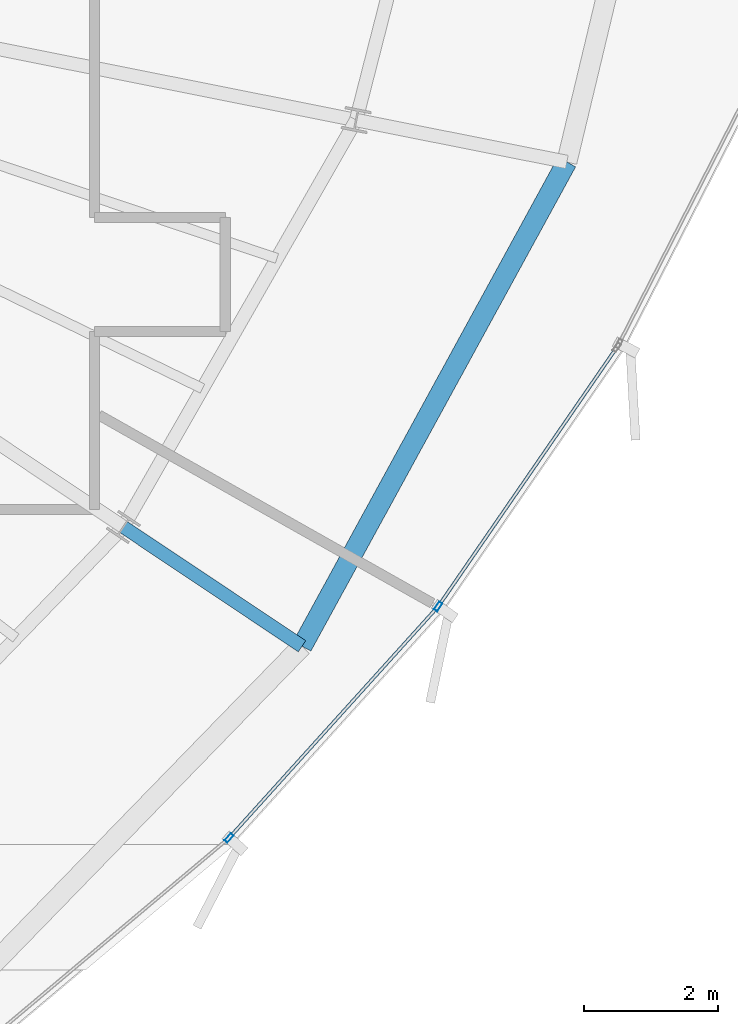
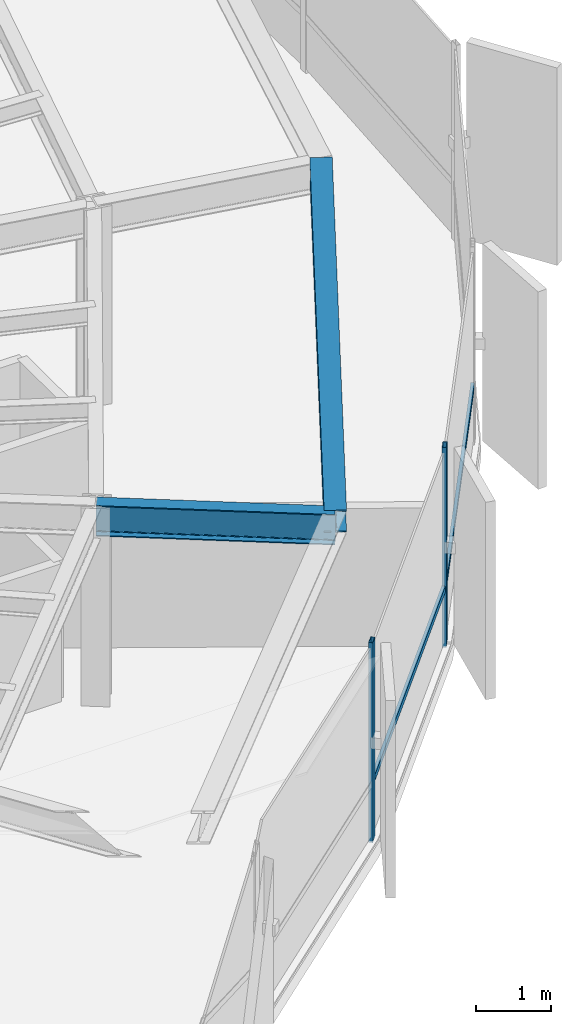
# One storey, part 15 of 35: 4 members, 2 beams, 1 element without a shape of its own.
"""IFC4 building model written with IfcOpenShell, lengths in metres."""

from ifc_helpers import new_model, si_unit, direction, frame, origin, origin_2d, place, context, subcontext, project, spatial, hollow_rectangle, i_section, extrude, source, transform, mapped, material, layer, layer_set, material_profile, profile_set, type_object, element, aggregate, save


model = new_model("IFC4")

# Units and contexts
model_context = context("Model", 3, precision=1e-05, world=origin(), true_north=direction((0.0, 1.0)))
body_context = subcontext(model_context, "Body", "Model", "MODEL_VIEW")
ifc_project = project(units=[si_unit("LENGTHUNIT", "METRE"), si_unit("AREAUNIT", "SQUARE_METRE"), si_unit("VOLUMEUNIT", "CUBIC_METRE"), si_unit("PLANEANGLEUNIT", "RADIAN"), si_unit("MASSUNIT", "GRAM", prefix="KILO"), si_unit("THERMODYNAMICTEMPERATUREUNIT", "KELVIN")], contexts=[model_context])

# Site, building, storey
site_placement = place(None, origin())
site = spatial("IfcSite", under=ifc_project, at=site_placement, CompositionType="ELEMENT")
building_placement = place(site_placement, origin())
building = spatial("IfcBuilding", under=site, at=building_placement, Name="Kethvar Cultural Tower", CompositionType="ELEMENT")
storey_placement = place(building_placement, frame((0.0, 0.0, 179.89990234375)))
storey = spatial("IfcBuildingStorey", under=building, at=storey_placement, Name="L46", CompositionType="ELEMENT", Elevation=179.89990234375)

# Beams
ifc_material_1 = material(Name="Steel S355J2", Category="steel")
ifc_material_profile_1 = material_profile(ifc_material_1, i_section(OverallWidth=0.199951171875, OverallDepth=0.5, WebThickness=0.01025390625, FlangeThickness=0.01611328125, FilletRadius=0.02099609375, at=origin_2d()), Name="Steel S355J2 — IPE500")
ifc_profile_set_1 = profile_set([ifc_material_profile_1], Name="Steel S355J2 — IPE500")
beam_type_1 = type_object("IfcBeamType", Name="BM-IPE500", PredefinedType="BEAM", material=ifc_profile_set_1)
shared_shape_1 = source(origin(), body_context, "Body", "SweptSolid", [
    extrude(i_section(OverallWidth=0.199951171875, OverallDepth=0.5, WebThickness=0.01025390625, FlangeThickness=0.01611328125, FilletRadius=0.02099609375, at=origin_2d()), origin(), (0.0, 0.0, 1.0), 3.199951171875),
])
beam_1_placement = place(storey_placement, frame((61.1826171875, 18.18994140625, 3.008056640625), z_axis=(0.831462943996, -0.555580212716, 0.0), x_axis=(0.555580212716, 0.831462943996, 0.0)))
element("IfcBeam", 1, at=beam_1_placement, inside=storey, type_object=beam_type_1, Name="L46 Perimeter Cantilever Beam RC-15", PredefinedType="BEAM", context=body_context, shape_type="MappedRepresentation", body=[
    mapped(shared_shape_1, transform((0.0, 0.0, 0.0), scale=1.0)),
])
ifc_material_profile_2 = material_profile(ifc_material_1, i_section(OverallWidth=0.300048828125, OverallDepth=0.360107421875, WebThickness=0.012451171875, FlangeThickness=0.0224609375, FilletRadius=0.027099609375, at=origin_2d()), Name="Steel S355J2 — HEB360")
ifc_profile_set_2 = profile_set([ifc_material_profile_2], Name="Steel S355J2 — HEB360")
beam_type_2 = type_object("IfcBeamType", Name="BM-SP360", PredefinedType="SPANDREL", material=ifc_profile_set_2)
shared_shape_2 = source(origin(), body_context, "Body", "SweptSolid", [
    extrude(i_section(OverallWidth=0.300048828125, OverallDepth=0.360107421875, WebThickness=0.012451171875, FlangeThickness=0.0224609375, FilletRadius=0.027099609375, at=origin_2d()), origin(), (0.0, 0.0, 1.0), 8.22119140625),
])
beam_2_placement = place(storey_placement, frame((63.84326171875, 16.412109375, 3.078125), z_axis=(0.479721613821, 0.8774207504, 0.0), x_axis=(-0.8774207504, 0.479721613821, 0.0)))
element("IfcBeam", 2, at=beam_2_placement, inside=storey, type_object=beam_type_2, Name="L46 Perimeter Spandrel Beam SP-15", PredefinedType="SPANDREL", context=body_context, shape_type="MappedRepresentation", body=[
    mapped(shared_shape_2, transform((0.0, 0.0, 0.0), scale=1.0)),
])

# Curtain wall, members
ifc_material_2 = material(Name="Aluminium 6063-T6", Category="aluminium")
ifc_layer = layer(ifc_material_2, 0.179931640625, Name="Aluminium 6063-T6", Category="aluminium")
ifc_layer_set = layer_set([ifc_layer], Name="Aluminium 6063-T6 (180 mm)")
curtain_wall_type = type_object("IfcCurtainWallType", Name="CW-SYS-04-Z34", PredefinedType="NOTDEFINED", material=ifc_layer_set)
curtain_wall_placement = place(storey_placement, origin())
curtain_wall = element("IfcCurtainWall", 3, at=curtain_wall_placement, inside=storey, type_object=curtain_wall_type, Name="L46 Curtain Wall Run 05", PredefinedType="NOTDEFINED")
ifc_material_profile_3 = material_profile(ifc_material_2, hollow_rectangle(XDim=0.06005859375, YDim=0.139892578125, WallThickness=0.0048828125, at=origin_2d()), Name="Aluminium 6063-T6 — RHS140x60x5")
ifc_profile_set_3 = profile_set([ifc_material_profile_3], Name="Aluminium 6063-T6 — RHS140x60x5")
member_type_1 = type_object("IfcMemberType", Name="CW-SYS-04-Z34-MUL", PredefinedType="MULLION", material=ifc_profile_set_3)
shared_shape_3 = source(origin(), body_context, "Body", "SweptSolid", [
    extrude(hollow_rectangle(XDim=0.06005859375, YDim=0.139892578125, WallThickness=0.0048828125, at=origin_2d()), origin(), (0.0, 0.0, 1.0), 3.260009765625),
])
member_1_placement = place(storey_placement, frame((62.756103515625, 13.556396484375, 0.0), z_axis=(0.0, 0.0, 1.0), x_axis=(-0.742174727895, 0.670206440788, 0.0)))
member_1 = element("IfcMember", 4, at=member_1_placement, type_object=member_type_1, Name="CW-L46-R05 Mullion 5", PredefinedType="MULLION", context=body_context, shape_type="MappedRepresentation", body=[
    mapped(shared_shape_3, transform((0.0, 0.0, 0.0), scale=1.0)),
])
member_2_placement = place(storey_placement, frame((65.870849609375, 17.004150390625, 0.0), z_axis=(0.0, 0.0, 1.0), x_axis=(-0.823334533242, 0.567556381667, 0.0)))
member_2 = element("IfcMember", 5, at=member_2_placement, type_object=member_type_1, Name="CW-L46-R05 Mullion 6", PredefinedType="MULLION", context=body_context, shape_type="MappedRepresentation", body=[
    mapped(shared_shape_3, transform((0.0, 0.0, 0.0), scale=1.0)),
])
ifc_material_profile_4 = material_profile(ifc_material_2, hollow_rectangle(XDim=0.050048828125, YDim=0.10009765625, WallThickness=0.00390625, at=origin_2d()), Name="Aluminium 6063-T6 — RHS100x50x4")
ifc_profile_set_4 = profile_set([ifc_material_profile_4], Name="Aluminium 6063-T6 — RHS100x50x4")
member_type_2 = type_object("IfcMemberType", Name="CW-SYS-04-Z34-TRN", PredefinedType="USERDEFINED", material=ifc_profile_set_4)
shared_shape_4 = source(origin(), body_context, "Body", "SweptSolid", [
    extrude(hollow_rectangle(XDim=0.050048828125, YDim=0.10009765625, WallThickness=0.00390625, at=origin_2d()), origin(), (0.0, 0.0, 1.0), 4.574462890625),
])
member_3_placement = place(storey_placement, frame((62.784912109375, 13.58837890625, 0.9501953125), z_axis=(0.670219886921, 0.742162585405, 0.0), x_axis=(-0.742162585405, 0.670219886921, 0.0)))
member_3 = element("IfcMember", 6, at=member_3_placement, type_object=member_type_2, Name="CW-L46-R05 Transom 5", ObjectType="TRANSOM", PredefinedType="USERDEFINED", context=body_context, shape_type="MappedRepresentation", body=[
    mapped(shared_shape_4, transform((0.0, 0.0, 0.0), scale=1.0)),
])
shared_shape_5 = source(origin(), body_context, "Body", "SweptSolid", [
    extrude(hollow_rectangle(XDim=0.050048828125, YDim=0.10009765625, WallThickness=0.00390625, at=origin_2d()), origin(), (0.0, 0.0, 1.0), 4.640625),
])
member_4_placement = place(storey_placement, frame((65.8955078125, 17.039794921875, 0.9501953125), z_axis=(0.567550992011, 0.823338248515, 0.0), x_axis=(-0.823338248515, 0.567550992011, 0.0)))
member_4 = element("IfcMember", 7, at=member_4_placement, type_object=member_type_2, Name="CW-L46-R05 Transom 6", ObjectType="TRANSOM", PredefinedType="USERDEFINED", context=body_context, shape_type="MappedRepresentation", body=[
    mapped(shared_shape_5, transform((0.0, 0.0, 0.0), scale=1.0)),
])
aggregate(curtain_wall, [member_1, member_2, member_3, member_4])

save(model, "model.ifc")
